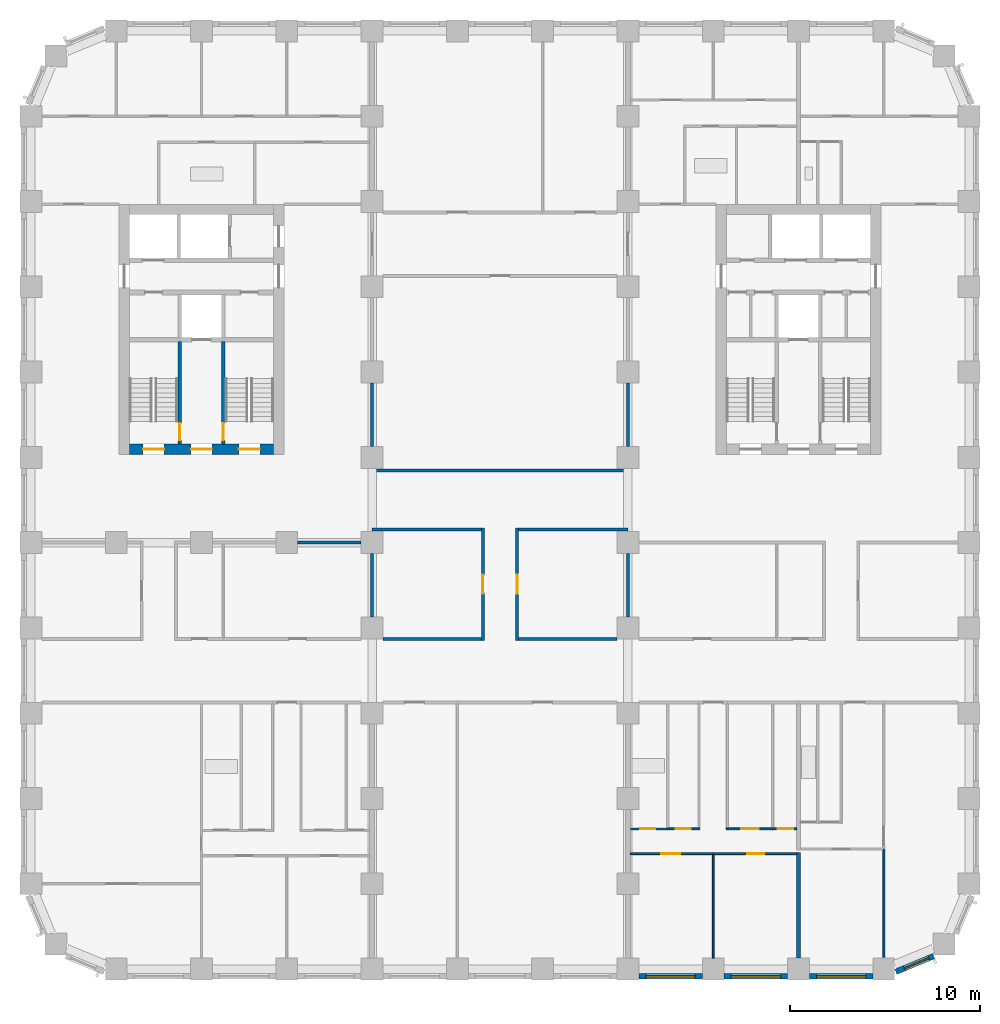
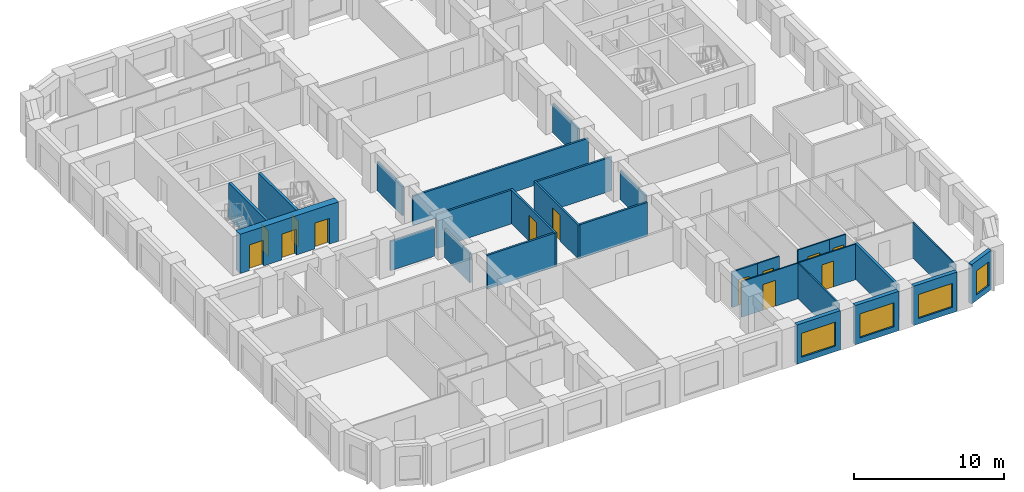
# One storey, part 4 of 12: 28 walls, 13 doors, 4 windows, 17 openings.
"""IFC4 building model written with IfcOpenShell, lengths in metres."""

from ifc_helpers import new_model, si_unit, direction, frame, frame_2d, origin, place, context, subcontext, project, spatial, rectangle, extrude, material, layer, layer_set, type_object, element, fill, save


model = new_model("IFC4")

# Units and contexts
model_context = context("Model", 3, precision=1e-05, world=origin(), true_north=direction((0.0, 1.0)))
body_context = subcontext(model_context, "Body", "Model", "MODEL_VIEW")
ifc_project = project(units=[si_unit("LENGTHUNIT", "METRE"), si_unit("AREAUNIT", "SQUARE_METRE"), si_unit("VOLUMEUNIT", "CUBIC_METRE"), si_unit("PLANEANGLEUNIT", "RADIAN"), si_unit("MASSUNIT", "GRAM", prefix="KILO")], contexts=[model_context])

# Site, building, storey
site_placement = place(None, origin())
site = spatial("IfcSite", under=ifc_project, at=site_placement, CompositionType="ELEMENT")
building_placement = place(site_placement, origin())
building = spatial("IfcBuilding", under=site, at=building_placement, Name="Girih Gate Residences", CompositionType="ELEMENT")
storey_placement = place(building_placement, frame((0.0, 0.0, 115.199951171875)))
storey = spatial("IfcBuildingStorey", under=building, at=storey_placement, Name="L32", CompositionType="ELEMENT", Elevation=115.199951171875)

# Wall, opening, door
ifc_material_1 = material(Name="Gypsum board on steel studs", Category="steel")
ifc_layer_1 = layer(ifc_material_1, 0.14990234375)
ifc_layer_set_1 = layer_set([ifc_layer_1], Name="Compartment wall 150 mm")
wall_type_1 = type_object("IfcWallType", Name="Compartment wall 150 mm", PredefinedType="PARTITIONING", material=ifc_layer_set_1)
wall_1_placement = place(storey_placement, frame((23.85009765625, 17.35009765625, 0.0), z_axis=(0.0, 0.0, 1.0), x_axis=(0.0, 1.0, 0.0)))
wall_1 = element("IfcWall", 1, at=wall_1_placement, inside=storey, type_object=wall_type_1, Name="L32 partition", PredefinedType="PARTITIONING", context=body_context, shape_type="SweptSolid", body=[
    extrude(rectangle(XDim=5.9248046875, YDim=0.14990234375, at=frame_2d((2.96240234375, 0.0))), origin(), (0.0, 0.0, 1.0), 2.75),
])
opening_1_placement = place(wall_1_placement, frame((2.46240234375, 0.0, 0.0)))
opening_1 = element("IfcOpeningElement", 2, at=opening_1_placement, cuts=wall_1, Name="Opening A32-046", PredefinedType="OPENING", context=body_context, shape_type="SweptSolid", body=[
    extrude(rectangle(XDim=1.0, YDim=2.10009765625, at=frame_2d((0.5, 1.050048828125))), frame((0.0, 0.0849609375, 0.0), z_axis=(0.0, -1.0, 0.0), x_axis=(1.0, 0.0, 0.0)), (0.0, 0.0, 1.0), 0.169921875),
])
ifc_material_2 = material(Name="Timber, fire-rated core", Category="wood")
door_type_1 = type_object("IfcDoorType", Name="Amenity room door 1000x2100 FD30S", OperationType="NOTDEFINED", PredefinedType="DOOR", material=ifc_material_2)
door_1_placement = place(opening_1_placement, origin())
door_1 = element("IfcDoor", 3, at=door_1_placement, inside=storey, type_object=door_type_1, Name="Door A32-046", OperationType="SINGLE_SWING_RIGHT", OverallHeight=2.10009765625, OverallWidth=1.0, PredefinedType="DOOR", context=body_context, shape_type="SweptSolid", body=[
    extrude(rectangle(XDim=1.0, YDim=2.10009765625, at=frame_2d((0.5, 1.050048828125))), frame((0.0, 0.02490234375, 0.0), z_axis=(0.0, -1.0, 0.0), x_axis=(1.0, 0.0, 0.0)), (0.0, 0.0, 1.0), 0.050048828125),
])
fill(opening_1, door_1)

wall_2_placement = place(storey_placement, frame((25.64990234375, 23.27490234375, 0.0), z_axis=(0.0, 0.0, 1.0), x_axis=(0.0, -1.0, 0.0)))
wall_2 = element("IfcWall", 4, at=wall_2_placement, inside=storey, type_object=wall_type_1, Name="L32 partition", PredefinedType="PARTITIONING", context=body_context, shape_type="SweptSolid", body=[
    extrude(rectangle(XDim=5.9248046875, YDim=0.14990234375, at=frame_2d((2.96240234375, 0.0))), origin(), (0.0, 0.0, 1.0), 2.75),
])
opening_2_placement = place(wall_2_placement, frame((2.46240234375, 0.0, 0.0)))
opening_2 = element("IfcOpeningElement", 5, at=opening_2_placement, cuts=wall_2, Name="Opening A32-047", PredefinedType="OPENING", context=body_context, shape_type="SweptSolid", body=[
    extrude(rectangle(XDim=1.0, YDim=2.10009765625, at=frame_2d((0.5, 1.050048828125))), frame((0.0, 0.0849609375, 0.0), z_axis=(0.0, -1.0, 0.0), x_axis=(1.0, 0.0, 0.0)), (0.0, 0.0, 1.0), 0.169921875),
])
door_2_placement = place(opening_2_placement, origin())
door_2 = element("IfcDoor", 6, at=door_2_placement, inside=storey, type_object=door_type_1, Name="Door A32-047", OperationType="SINGLE_SWING_RIGHT", OverallHeight=2.10009765625, OverallWidth=1.0, PredefinedType="DOOR", context=body_context, shape_type="SweptSolid", body=[
    extrude(rectangle(XDim=1.0, YDim=2.10009765625, at=frame_2d((0.5, 1.050048828125))), frame((0.0, 0.02490234375, 0.0), z_axis=(0.0, -1.0, 0.0), x_axis=(1.0, 0.0, 0.0)), (0.0, 0.0, 1.0), 0.050048828125),
])
fill(opening_2, door_2)

# Walls
for number, where, z_axis, x_axis, name in (
    (7, (18.574951171875, 17.425048828125, 0.0), (0.0, 0.0, 1.0), (1.0, 0.0, 0.0), "L32 partition"),
    (8, (25.72509765625, 17.425048828125, 0.0), (0.0, 0.0, 1.0), (1.0, 0.0, 0.0), "L32 partition"),
):
    element("IfcWall", number, at=place(storey_placement, frame(where, z_axis=z_axis, x_axis=x_axis)), inside=storey, type_object=wall_type_1, Name=name, PredefinedType="PARTITIONING", context=body_context, shape_type="SweptSolid", body=[
        extrude(rectangle(XDim=5.199951171875, YDim=0.14990234375, at=frame_2d((2.60009765625, 0.0))), origin(), (0.0, 0.0, 1.0), 2.75),
    ])
for number, where, z_axis, x_axis, name in (
    (9, (31.5, 27.574951171875, 0.0), (0.0, 0.0, 1.0), (0.0, 1.0, 0.0), "L32 partition"),
    (10, (18.0, 27.574951171875, 0.0), (0.0, 0.0, 1.0), (0.0, 1.0, 0.0), "L32 partition"),
):
    element("IfcWall", number, at=place(storey_placement, frame(where, z_axis=z_axis, x_axis=x_axis)), inside=storey, type_object=wall_type_1, Name=name, PredefinedType="PARTITIONING", context=body_context, shape_type="SweptSolid", body=[
        extrude(rectangle(XDim=3.35009765625, YDim=0.14990234375, at=frame_2d((1.675048828125, 0.0))), origin(), (0.0, 0.0, 1.0), 2.380126953125),
    ])
wall_3_placement = place(storey_placement, frame((18.0, 26.300048828125, 0.0), z_axis=(0.0, 0.0, 1.0), x_axis=(1.0, 0.0, 0.0)))
element("IfcWall", 11, at=wall_3_placement, inside=storey, type_object=wall_type_1, Name="L32 partition", PredefinedType="PARTITIONING", context=body_context, shape_type="SweptSolid", body=[
    extrude(rectangle(XDim=13.5, YDim=0.14990234375, at=frame_2d((6.75, 0.0))), origin(), (0.0, 0.0, 1.0), 2.380126953125),
])
wall_4_placement = place(storey_placement, frame((18.0, 23.199951171875, 0.0), z_axis=(0.0, 0.0, 1.0), x_axis=(1.0, 0.0, 0.0)))
element("IfcWall", 12, at=wall_4_placement, inside=storey, type_object=wall_type_1, Name="L32 partition", PredefinedType="PARTITIONING", context=body_context, shape_type="SweptSolid", body=[
    extrude(rectangle(XDim=5.77490234375, YDim=0.14990234375, at=frame_2d((2.887451171875, 0.0))), origin(), (0.0, 0.0, 1.0), 2.75),
])
wall_5_placement = place(storey_placement, frame((18.0, 18.574951171875, 0.0), z_axis=(0.0, 0.0, 1.0), x_axis=(0.0, 1.0, 0.0)))
element("IfcWall", 13, at=wall_5_placement, inside=storey, type_object=wall_type_1, Name="L32 partition", PredefinedType="PARTITIONING", context=body_context, shape_type="SweptSolid", body=[
    extrude(rectangle(XDim=3.35009765625, YDim=0.14990234375, at=frame_2d((1.675048828125, 0.0))), origin(), (0.0, 0.0, 1.0), 2.380126953125),
])
wall_6_placement = place(storey_placement, frame((25.72509765625, 23.199951171875, 0.0), z_axis=(0.0, 0.0, 1.0), x_axis=(1.0, 0.0, 0.0)))
element("IfcWall", 14, at=wall_6_placement, inside=storey, type_object=wall_type_1, Name="L32 partition", PredefinedType="PARTITIONING", context=body_context, shape_type="SweptSolid", body=[
    extrude(rectangle(XDim=5.77490234375, YDim=0.14990234375, at=frame_2d((2.887451171875, 0.0))), origin(), (0.0, 0.0, 1.0), 2.75),
])
for number, where, z_axis, x_axis, name in (
    (15, (31.5, 18.574951171875, 0.0), (0.0, 0.0, 1.0), (0.0, 1.0, 0.0), "L32 partition"),
    (16, (14.074951171875, 22.5, 0.0), (0.0, 0.0, 1.0), (1.0, 0.0, 0.0), "L32 partition"),
):
    element("IfcWall", number, at=place(storey_placement, frame(where, z_axis=z_axis, x_axis=x_axis)), inside=storey, type_object=wall_type_1, Name=name, PredefinedType="PARTITIONING", context=body_context, shape_type="SweptSolid", body=[
        extrude(rectangle(XDim=3.35009765625, YDim=0.14990234375, at=frame_2d((1.675048828125, 0.0))), origin(), (0.0, 0.0, 1.0), 2.380126953125),
    ])

# Wall, openings, doors
ifc_material_3 = material(Name="Concrete C60/75", Category="concrete")
ifc_layer_2 = layer(ifc_material_3, 0.550048828125)
ifc_layer_set_2 = layer_set([ifc_layer_2], Name="Core wall RC 550 Concrete C60/75")
wall_type_2 = type_object("IfcWallType", Name="Core wall RC 550 Concrete C60/75", PredefinedType="SOLIDWALL", material=ifc_layer_set_2)
wall_7_placement = place(storey_placement, frame((5.199951171875, 27.425048828125, 0.0), z_axis=(0.0, 0.0, 1.0), x_axis=(1.0, 0.0, 0.0)))
wall_7 = element("IfcWall", 17, at=wall_7_placement, inside=storey, type_object=wall_type_2, Name="Core wall W-S L32", PredefinedType="SOLIDWALL", context=body_context, shape_type="SweptSolid", body=[
    extrude(rectangle(XDim=7.60009765625, YDim=0.550048828125, at=frame_2d((3.800048828125, 0.0))), origin(), (0.0, 0.0, 1.0), 3.199951171875),
])
opening_3_placement = place(wall_7_placement, frame((0.72509765625, 0.0, 0.0)))
opening_3 = element("IfcOpeningElement", 18, at=opening_3_placement, cuts=wall_7, Name="Opening D-L32-W-008", PredefinedType="OPENING", context=body_context, shape_type="SweptSolid", body=[
    extrude(rectangle(XDim=1.10009765625, YDim=2.10009765625, at=frame_2d((0.550048828125, 1.050048828125))), frame((0.0, 0.284912109375, 0.0), z_axis=(0.0, -1.0, 0.0), x_axis=(1.0, 0.0, 0.0)), (0.0, 0.0, 1.0), 0.570068359375),
])
opening_4_placement = place(wall_7_placement, frame((3.25, 0.0, 0.0)))
opening_4 = element("IfcOpeningElement", 19, at=opening_4_placement, cuts=wall_7, Name="Opening D-L32-W-009", PredefinedType="OPENING", context=body_context, shape_type="SweptSolid", body=[
    extrude(rectangle(XDim=1.10009765625, YDim=2.10009765625, at=frame_2d((0.550048828125, 1.050048828125))), frame((0.0, 0.284912109375, 0.0), z_axis=(0.0, -1.0, 0.0), x_axis=(1.0, 0.0, 0.0)), (0.0, 0.0, 1.0), 0.570068359375),
])
opening_5_placement = place(wall_7_placement, frame((5.77490234375, 0.0, 0.0)))
opening_5 = element("IfcOpeningElement", 20, at=opening_5_placement, cuts=wall_7, Name="Opening D-L32-W-010", PredefinedType="OPENING", context=body_context, shape_type="SweptSolid", body=[
    extrude(rectangle(XDim=1.10009765625, YDim=2.10009765625, at=frame_2d((0.550048828125, 1.050048828125))), frame((0.0, 0.284912109375, 0.0), z_axis=(0.0, -1.0, 0.0), x_axis=(1.0, 0.0, 0.0)), (0.0, 0.0, 1.0), 0.570068359375),
])
ifc_material_4 = material(Name="Painted steel, fire-resisting", Category="steel")
door_type_2 = type_object("IfcDoorType", Name="Fire door 1100x2100", OperationType="SINGLE_SWING_LEFT", PredefinedType="DOOR", material=ifc_material_4)
door_3_placement = place(opening_3_placement, origin())
door_3 = element("IfcDoor", 21, at=door_3_placement, inside=storey, type_object=door_type_2, Name="L32 W core door sta-out", OperationType="SINGLE_SWING_LEFT", OverallHeight=2.10009765625, OverallWidth=1.10009765625, PredefinedType="DOOR", context=body_context, shape_type="SweptSolid", body=[
    extrude(rectangle(XDim=1.10009765625, YDim=2.10009765625, at=frame_2d((0.550048828125, 1.050048828125))), frame((0.0, 0.02490234375, 0.0), z_axis=(0.0, -1.0, 0.0), x_axis=(1.0, 0.0, 0.0)), (0.0, 0.0, 1.0), 0.050048828125),
])
fill(opening_3, door_3)
door_4_placement = place(opening_4_placement, origin())
door_4 = element("IfcDoor", 22, at=door_4_placement, inside=storey, type_object=door_type_2, Name="L32 W core door ffl-out", OperationType="SINGLE_SWING_LEFT", OverallHeight=2.10009765625, OverallWidth=1.10009765625, PredefinedType="DOOR", context=body_context, shape_type="SweptSolid", body=[
    extrude(rectangle(XDim=1.10009765625, YDim=2.10009765625, at=frame_2d((0.550048828125, 1.050048828125))), frame((0.0, 0.02490234375, 0.0), z_axis=(0.0, -1.0, 0.0), x_axis=(1.0, 0.0, 0.0)), (0.0, 0.0, 1.0), 0.050048828125),
])
fill(opening_4, door_4)
door_5_placement = place(opening_5_placement, origin())
door_5 = element("IfcDoor", 23, at=door_5_placement, inside=storey, type_object=door_type_2, Name="L32 W core door stb-out", OperationType="SINGLE_SWING_LEFT", OverallHeight=2.10009765625, OverallWidth=1.10009765625, PredefinedType="DOOR", context=body_context, shape_type="SweptSolid", body=[
    extrude(rectangle(XDim=1.10009765625, YDim=2.10009765625, at=frame_2d((0.550048828125, 1.050048828125))), frame((0.0, 0.02490234375, 0.0), z_axis=(0.0, -1.0, 0.0), x_axis=(1.0, 0.0, 0.0)), (0.0, 0.0, 1.0), 0.050048828125),
])
fill(opening_5, door_5)

# Wall
ifc_layer_3 = layer(ifc_material_1, 0.10009765625)
ifc_layer_set_3 = layer_set([ifc_layer_3], Name="Partition 100 mm")
wall_type_3 = type_object("IfcWallType", Name="Partition 100 mm", PredefinedType="PARTITIONING", material=ifc_layer_set_3)
wall_8_placement = place(storey_placement, frame((45.0, 0.622314453125, 0.0), z_axis=(0.0, 0.0, 1.0), x_axis=(0.0, 1.0, 0.0)))
element("IfcWall", 24, at=wall_8_placement, inside=storey, type_object=wall_type_3, Name="L32 partition", PredefinedType="PARTITIONING", context=body_context, shape_type="SweptSolid", body=[
    extrude(rectangle(XDim=5.712646484375, YDim=0.10009765625, at=frame_2d((2.8564453125, 0.0))), origin(), (0.0, 0.0, 1.0), 2.900146484375),
])

# Wall, opening, door
wall_9_placement = place(storey_placement, frame((40.39990234375, 6.094970703125, 0.0), z_axis=(0.0, 0.0, 1.0), x_axis=(-1.0, 0.0, 0.0)))
wall_9 = element("IfcWall", 25, at=wall_9_placement, inside=storey, type_object=wall_type_3, Name="L32 partition", PredefinedType="PARTITIONING", context=body_context, shape_type="SweptSolid", body=[
    extrude(rectangle(XDim=4.39990234375, YDim=0.10009765625, at=frame_2d((2.199951171875, 0.0))), origin(), (0.0, 0.0, 1.0), 2.900146484375),
])
opening_6_placement = place(wall_9_placement, frame((1.699951171875, 0.0, 0.0)))
opening_6 = element("IfcOpeningElement", 26, at=opening_6_placement, cuts=wall_9, Name="Opening A32-023", PredefinedType="OPENING", context=body_context, shape_type="SweptSolid", body=[
    extrude(rectangle(XDim=0.89990234375, YDim=2.10009765625, at=frame_2d((0.449951171875, 1.050048828125))), frame((0.0, 0.06005859375, 0.0), z_axis=(0.0, -1.0, 0.0), x_axis=(1.0, 0.0, 0.0)), (0.0, 0.0, 1.0), 0.1201171875),
])
ifc_material_5 = material(Name="Timber", Category="wood")
door_type_3 = type_object("IfcDoorType", Name="Bedroom door 900x2100", OperationType="NOTDEFINED", PredefinedType="DOOR", material=ifc_material_5)
door_6_placement = place(opening_6_placement, origin())
door_6 = element("IfcDoor", 27, at=door_6_placement, inside=storey, type_object=door_type_3, Name="Door A32-023", OperationType="SINGLE_SWING_LEFT", OverallHeight=2.10009765625, OverallWidth=0.89990234375, PredefinedType="DOOR", context=body_context, shape_type="SweptSolid", body=[
    extrude(rectangle(XDim=0.89990234375, YDim=2.10009765625, at=frame_2d((0.449951171875, 1.050048828125))), frame((0.0, 0.02490234375, 0.0), z_axis=(0.0, -1.0, 0.0), x_axis=(1.0, 0.0, 0.0)), (0.0, 0.0, 1.0), 0.050048828125),
])
fill(opening_6, door_6)

# Wall
wall_10_placement = place(storey_placement, frame((36.0, 0.574951171875, 0.0), z_axis=(0.0, 0.0, 1.0), x_axis=(0.0, 1.0, 0.0)))
element("IfcWall", 28, at=wall_10_placement, inside=storey, type_object=wall_type_3, Name="L32 partition", PredefinedType="PARTITIONING", context=body_context, shape_type="SweptSolid", body=[
    extrude(rectangle(XDim=5.469970703125, YDim=0.10009765625, at=frame_2d((2.73486328125, 0.0))), origin(), (0.0, 0.0, 1.0), 2.900146484375),
])

# Wall, opening, door
wall_11_placement = place(storey_placement, frame((36.699951171875, 7.39501953125, 0.0), z_axis=(0.0, 0.0, 1.0), x_axis=(1.0, 0.0, 0.0)))
wall_11 = element("IfcWall", 29, at=wall_11_placement, inside=storey, type_object=wall_type_3, Name="L32 partition", PredefinedType="PARTITIONING", context=body_context, shape_type="SweptSolid", body=[
    extrude(rectangle(XDim=2.432861328125, YDim=0.10009765625, at=frame_2d((1.21630859375, 0.0))), origin(), (0.0, 0.0, 1.0), 2.900146484375),
])
opening_7_placement = place(wall_11_placement, frame((0.79150390625, 0.0, 0.0)))
opening_7 = element("IfcOpeningElement", 30, at=opening_7_placement, cuts=wall_11, Name="Opening A32-024", PredefinedType="OPENING", context=body_context, shape_type="SweptSolid", body=[
    extrude(rectangle(XDim=0.89990234375, YDim=2.10009765625, at=frame_2d((0.449951171875, 1.050048828125))), frame((0.0, 0.06005859375, 0.0), z_axis=(0.0, -1.0, 0.0), x_axis=(1.0, 0.0, 0.0)), (0.0, 0.0, 1.0), 0.1201171875),
])
door_type_4 = type_object("IfcDoorType", Name="Kitchen door 900x2100", OperationType="NOTDEFINED", PredefinedType="DOOR", material=ifc_material_5)
door_7_placement = place(opening_7_placement, origin())
door_7 = element("IfcDoor", 31, at=door_7_placement, inside=storey, type_object=door_type_4, Name="Door A32-024", OperationType="SINGLE_SWING_RIGHT", OverallHeight=2.10009765625, OverallWidth=0.89990234375, PredefinedType="DOOR", context=body_context, shape_type="SweptSolid", body=[
    extrude(rectangle(XDim=0.89990234375, YDim=2.10009765625, at=frame_2d((0.449951171875, 1.050048828125))), frame((0.0, 0.02490234375, 0.0), z_axis=(0.0, -1.0, 0.0), x_axis=(1.0, 0.0, 0.0)), (0.0, 0.0, 1.0), 0.050048828125),
])
fill(opening_7, door_7)

wall_12_placement = place(storey_placement, frame((36.0, 6.094970703125, 0.0), z_axis=(0.0, 0.0, 1.0), x_axis=(-1.0, 0.0, 0.0)))
wall_12 = element("IfcWall", 32, at=wall_12_placement, inside=storey, type_object=wall_type_3, Name="L32 partition", PredefinedType="PARTITIONING", context=body_context, shape_type="SweptSolid", body=[
    extrude(rectangle(XDim=4.375, YDim=0.10009765625, at=frame_2d((2.1875, 0.0))), origin(), (0.0, 0.0, 1.0), 2.900146484375),
])
opening_8_placement = place(wall_12_placement, frame((1.75, 0.0, 0.0)))
opening_8 = element("IfcOpeningElement", 33, at=opening_8_placement, cuts=wall_12, Name="Opening A32-025", PredefinedType="OPENING", context=body_context, shape_type="SweptSolid", body=[
    extrude(rectangle(XDim=1.0, YDim=2.10009765625, at=frame_2d((0.5, 1.050048828125))), frame((0.0, 0.06005859375, 0.0), z_axis=(0.0, -1.0, 0.0), x_axis=(1.0, 0.0, 0.0)), (0.0, 0.0, 1.0), 0.1201171875),
])
door_type_5 = type_object("IfcDoorType", Name="Living room door 1000x2100", OperationType="NOTDEFINED", PredefinedType="DOOR", material=ifc_material_5)
door_8_placement = place(opening_8_placement, origin())
door_8 = element("IfcDoor", 34, at=door_8_placement, inside=storey, type_object=door_type_5, Name="Door A32-025", OperationType="SINGLE_SWING_RIGHT", OverallHeight=2.10009765625, OverallWidth=1.0, PredefinedType="DOOR", context=body_context, shape_type="SweptSolid", body=[
    extrude(rectangle(XDim=1.0, YDim=2.10009765625, at=frame_2d((0.5, 1.050048828125))), frame((0.0, 0.02490234375, 0.0), z_axis=(0.0, -1.0, 0.0), x_axis=(1.0, 0.0, 0.0)), (0.0, 0.0, 1.0), 0.050048828125),
])
fill(opening_8, door_8)

wall_13_placement = place(storey_placement, frame((39.1328125, 7.39501953125, 0.0), z_axis=(0.0, 0.0, 1.0), x_axis=(1.0, 0.0, 0.0)))
wall_13 = element("IfcWall", 35, at=wall_13_placement, inside=storey, type_object=wall_type_3, Name="L32 partition", PredefinedType="PARTITIONING", context=body_context, shape_type="SweptSolid", body=[
    extrude(rectangle(XDim=1.26708984375, YDim=0.10009765625, at=frame_2d((0.633544921875, 0.0))), origin(), (0.0, 0.0, 1.0), 2.900146484375),
])
opening_9_placement = place(wall_13_placement, frame((0.28369140625, 0.0, 0.0)))
opening_9 = element("IfcOpeningElement", 36, at=opening_9_placement, cuts=wall_13, Name="Opening A32-026", PredefinedType="OPENING", context=body_context, shape_type="SweptSolid", body=[
    extrude(rectangle(XDim=0.800048828125, YDim=2.10009765625, at=frame_2d((0.39990234375, 1.050048828125))), frame((0.0, 0.06005859375, 0.0), z_axis=(0.0, -1.0, 0.0), x_axis=(1.0, 0.0, 0.0)), (0.0, 0.0, 1.0), 0.1201171875),
])
door_type_6 = type_object("IfcDoorType", Name="Store door 800x2100", OperationType="NOTDEFINED", PredefinedType="DOOR", material=ifc_material_5)
door_9_placement = place(opening_9_placement, origin())
door_9 = element("IfcDoor", 37, at=door_9_placement, inside=storey, type_object=door_type_6, Name="Door A32-026", OperationType="SINGLE_SWING_RIGHT", OverallHeight=2.10009765625, OverallWidth=0.800048828125, PredefinedType="DOOR", context=body_context, shape_type="SweptSolid", body=[
    extrude(rectangle(XDim=0.800048828125, YDim=2.10009765625, at=frame_2d((0.39990234375, 1.050048828125))), frame((0.0, 0.02490234375, 0.0), z_axis=(0.0, -1.0, 0.0), x_axis=(1.0, 0.0, 0.0)), (0.0, 0.0, 1.0), 0.050048828125),
])
fill(opening_9, door_9)

wall_14_placement = place(storey_placement, frame((33.591064453125, 7.39501953125, 0.0), z_axis=(0.0, 0.0, 1.0), x_axis=(1.0, 0.0, 0.0)))
wall_14 = element("IfcWall", 38, at=wall_14_placement, inside=storey, type_object=wall_type_3, Name="L32 partition", PredefinedType="PARTITIONING", context=body_context, shape_type="SweptSolid", body=[
    extrude(rectangle(XDim=1.708984375, YDim=0.10009765625, at=frame_2d((0.8544921875, 0.0))), origin(), (0.0, 0.0, 1.0), 2.900146484375),
])
opening_10_placement = place(wall_14_placement, frame((0.429443359375, 0.0, 0.0)))
opening_10 = element("IfcOpeningElement", 39, at=opening_10_placement, cuts=wall_14, Name="Opening A32-027", PredefinedType="OPENING", context=body_context, shape_type="SweptSolid", body=[
    extrude(rectangle(XDim=0.800048828125, YDim=2.10009765625, at=frame_2d((0.39990234375, 1.050048828125))), frame((0.0, 0.06005859375, 0.0), z_axis=(0.0, -1.0, 0.0), x_axis=(1.0, 0.0, 0.0)), (0.0, 0.0, 1.0), 0.1201171875),
])
door_10_placement = place(opening_10_placement, origin())
door_10 = element("IfcDoor", 40, at=door_10_placement, inside=storey, type_object=door_type_6, Name="Door A32-027", OperationType="SINGLE_SWING_LEFT", OverallHeight=2.10009765625, OverallWidth=0.800048828125, PredefinedType="DOOR", context=body_context, shape_type="SweptSolid", body=[
    extrude(rectangle(XDim=0.800048828125, YDim=2.10009765625, at=frame_2d((0.39990234375, 1.050048828125))), frame((0.0, 0.02490234375, 0.0), z_axis=(0.0, -1.0, 0.0), x_axis=(1.0, 0.0, 0.0)), (0.0, 0.0, 1.0), 0.050048828125),
])
fill(opening_10, door_10)

# Wall
ifc_layer_4 = layer(ifc_material_1, 0.199951171875)
ifc_layer_set_4 = layer_set([ifc_layer_4], Name="Party wall 200 mm")
wall_type_4 = type_object("IfcWallType", Name="Party wall 200 mm", PredefinedType="PARTITIONING", material=ifc_layer_set_4)
wall_15_placement = place(storey_placement, frame((40.5, 0.574951171875, 0.0), z_axis=(0.0, 0.0, 1.0), x_axis=(0.0, 1.0, 0.0)))
element("IfcWall", 41, at=wall_15_placement, inside=storey, type_object=wall_type_4, Name="L32 partition", PredefinedType="PARTITIONING", context=body_context, shape_type="SweptSolid", body=[
    extrude(rectangle(XDim=5.570068359375, YDim=0.199951171875, at=frame_2d((2.78515625, 0.0))), origin(), (0.0, 0.0, 1.0), 2.900146484375),
])

# Wall, opening, window
ifc_material_6 = material(Name="Precast concrete C50/60", Category="concrete")
ifc_layer_5 = layer(ifc_material_6, 0.080078125, Name="Outer leaf")
ifc_material_7 = material(Name="Rigid PIR insulation")
ifc_layer_6 = layer(ifc_material_7, 0.14990234375, Name="Insulation")
ifc_material_8 = material(Name="Precast concrete C40/50", Category="concrete")
ifc_layer_7 = layer(ifc_material_8, 0.070068359375, Name="Inner leaf")
ifc_layer_set_5 = layer_set([ifc_layer_5, ifc_layer_6, ifc_layer_7], Name="Precast concrete C50/60 external wall 300")
wall_type_5 = type_object("IfcWallType", Name="Precast concrete C50/60 external wall 300", PredefinedType="SOLIDWALL", material=ifc_layer_set_5)
wall_16_placement = place(storey_placement, frame((35.425048828125, -0.375, 0.0), z_axis=(0.0, 0.0, 1.0), x_axis=(-1.0, 0.0, 0.0)))
wall_16 = element("IfcWall", 42, at=wall_16_placement, inside=storey, type_object=wall_type_5, Name="External wall S0045_0000.6", PredefinedType="SOLIDWALL", context=body_context, shape_type="SweptSolid", body=[
    extrude(rectangle(XDim=3.35009765625, YDim=0.300048828125, at=frame_2d((1.675048828125, 0.0))), origin(), (0.0, 0.0, 1.0), 3.199951171875),
])
opening_11_placement = place(wall_16_placement, frame((0.375, 0.0, 0.449951171875)))
opening_11 = element("IfcOpeningElement", 43, at=opening_11_placement, cuts=wall_16, Name="Opening W-1A", PredefinedType="OPENING", context=body_context, shape_type="SweptSolid", body=[
    extrude(rectangle(XDim=2.60009765625, YDim=1.949951171875, at=frame_2d((1.300048828125, 0.97509765625))), frame((0.0, 0.159912109375, 0.0), z_axis=(0.0, -1.0, 0.0), x_axis=(1.0, 0.0, 0.0)), (0.0, 0.0, 1.0), 0.320068359375),
])
ifc_material_9 = material(Name="Double glazing in aluminium frame", Category="aluminium")
window_type_1 = type_object("IfcWindowType", Name="Window W-1A 2600x1950", PartitioningType="SINGLE_PANEL", PredefinedType="WINDOW", material=ifc_material_9)
window_1_placement = place(opening_11_placement, origin())
window_1 = element("IfcWindow", 44, at=window_1_placement, inside=storey, type_object=window_type_1, Name="Window W-1A S0045_0000.6", OverallHeight=1.949951171875, OverallWidth=2.60009765625, PartitioningType="SINGLE_PANEL", PredefinedType="WINDOW", context=body_context, shape_type="SweptSolid", body=[
    extrude(rectangle(XDim=2.60009765625, YDim=1.949951171875, at=frame_2d((1.300048828125, 0.97509765625))), frame((0.0, 0.030029296875, 0.0), z_axis=(0.0, -1.0, 0.0), x_axis=(1.0, 0.0, 0.0)), (0.0, 0.0, 1.0), 0.06005859375),
])
fill(opening_11, window_1)

wall_17_placement = place(storey_placement, frame((39.925048828125, -0.375, 0.0), z_axis=(0.0, 0.0, 1.0), x_axis=(-1.0, 0.0, 0.0)))
wall_17 = element("IfcWall", 45, at=wall_17_placement, inside=storey, type_object=wall_type_5, Name="External wall S0045_0000.7", PredefinedType="SOLIDWALL", context=body_context, shape_type="SweptSolid", body=[
    extrude(rectangle(XDim=3.35009765625, YDim=0.300048828125, at=frame_2d((1.675048828125, 0.0))), origin(), (0.0, 0.0, 1.0), 3.199951171875),
])
opening_12_placement = place(wall_17_placement, frame((0.375, 0.0, 0.449951171875)))
opening_12 = element("IfcOpeningElement", 46, at=opening_12_placement, cuts=wall_17, Name="Opening W-1A", PredefinedType="OPENING", context=body_context, shape_type="SweptSolid", body=[
    extrude(rectangle(XDim=2.60009765625, YDim=1.949951171875, at=frame_2d((1.300048828125, 0.97509765625))), frame((0.0, 0.159912109375, 0.0), z_axis=(0.0, -1.0, 0.0), x_axis=(1.0, 0.0, 0.0)), (0.0, 0.0, 1.0), 0.320068359375),
])
window_2_placement = place(opening_12_placement, origin())
window_2 = element("IfcWindow", 47, at=window_2_placement, inside=storey, type_object=window_type_1, Name="Window W-1A S0045_0000.7", OverallHeight=1.949951171875, OverallWidth=2.60009765625, PartitioningType="SINGLE_PANEL", PredefinedType="WINDOW", context=body_context, shape_type="SweptSolid", body=[
    extrude(rectangle(XDim=2.60009765625, YDim=1.949951171875, at=frame_2d((1.300048828125, 0.97509765625))), frame((0.0, 0.030029296875, 0.0), z_axis=(0.0, -1.0, 0.0), x_axis=(1.0, 0.0, 0.0)), (0.0, 0.0, 1.0), 0.06005859375),
])
fill(opening_12, window_2)

wall_18_placement = place(storey_placement, frame((44.425048828125, -0.375, 0.0), z_axis=(0.0, 0.0, 1.0), x_axis=(-1.0, 0.0, 0.0)))
wall_18 = element("IfcWall", 48, at=wall_18_placement, inside=storey, type_object=wall_type_5, Name="External wall S0045_0000.8", PredefinedType="SOLIDWALL", context=body_context, shape_type="SweptSolid", body=[
    extrude(rectangle(XDim=3.35009765625, YDim=0.300048828125, at=frame_2d((1.675048828125, 0.0))), origin(), (0.0, 0.0, 1.0), 3.199951171875),
])
opening_13_placement = place(wall_18_placement, frame((0.375, 0.0, 0.449951171875)))
opening_13 = element("IfcOpeningElement", 49, at=opening_13_placement, cuts=wall_18, Name="Opening W-1A", PredefinedType="OPENING", context=body_context, shape_type="SweptSolid", body=[
    extrude(rectangle(XDim=2.60009765625, YDim=1.949951171875, at=frame_2d((1.300048828125, 0.97509765625))), frame((0.0, 0.159912109375, 0.0), z_axis=(0.0, -1.0, 0.0), x_axis=(1.0, 0.0, 0.0)), (0.0, 0.0, 1.0), 0.320068359375),
])
window_3_placement = place(opening_13_placement, origin())
window_3 = element("IfcWindow", 50, at=window_3_placement, inside=storey, type_object=window_type_1, Name="Window W-1A S0045_0000.8", OverallHeight=1.949951171875, OverallWidth=2.60009765625, PartitioningType="SINGLE_PANEL", PredefinedType="WINDOW", context=body_context, shape_type="SweptSolid", body=[
    extrude(rectangle(XDim=2.60009765625, YDim=1.949951171875, at=frame_2d((1.300048828125, 0.97509765625))), frame((0.0, 0.030029296875, 0.0), z_axis=(0.0, -1.0, 0.0), x_axis=(1.0, 0.0, 0.0)), (0.0, 0.0, 1.0), 0.06005859375),
])
fill(opening_13, window_3)

wall_19_placement = place(storey_placement, frame((47.63134765625, 0.68408203125, 0.0), z_axis=(0.0, 0.0, 1.0), x_axis=(-0.923862802911, -0.382723818695, 0.0)))
wall_19 = element("IfcWall", 51, at=wall_19_placement, inside=storey, type_object=wall_type_5, Name="External wall SE0450_0000.0", PredefinedType="SOLIDWALL", context=body_context, shape_type="SweptSolid", body=[
    extrude(rectangle(XDim=2.163818359375, YDim=0.300048828125, at=frame_2d((1.08203125, 0.0))), origin(), (0.0, 0.0, 1.0), 3.199951171875),
])
opening_14_placement = place(wall_19_placement, frame((0.270751953125, 0.0, 0.449951171875)))
opening_14 = element("IfcOpeningElement", 52, at=opening_14_placement, cuts=wall_19, Name="Opening W-2D", PredefinedType="OPENING", context=body_context, shape_type="SweptSolid", body=[
    extrude(rectangle(XDim=1.39990234375, YDim=1.949951171875, at=frame_2d((0.699951171875, 0.97509765625))), frame((0.0, 0.159912109375, 0.0), z_axis=(0.0, -1.0, 0.0), x_axis=(1.0, 0.0, 0.0)), (0.0, 0.0, 1.0), 0.320068359375),
])
window_type_2 = type_object("IfcWindowType", Name="Window W-2D 1400x1950", PartitioningType="SINGLE_PANEL", PredefinedType="WINDOW", material=ifc_material_9)
window_4_placement = place(opening_14_placement, origin())
window_4 = element("IfcWindow", 53, at=window_4_placement, inside=storey, type_object=window_type_2, Name="Window W-2D SE0450_0000.0", OverallHeight=1.949951171875, OverallWidth=1.39990234375, PartitioningType="SINGLE_PANEL", PredefinedType="WINDOW", context=body_context, shape_type="SweptSolid", body=[
    extrude(rectangle(XDim=1.39990234375, YDim=1.949951171875, at=frame_2d((0.699951171875, 0.97509765625))), frame((0.0, 0.030029296875, 0.0), z_axis=(0.0, -1.0, 0.0), x_axis=(1.0, 0.0, 0.0)), (0.0, 0.0, 1.0), 0.06005859375),
])
fill(opening_14, window_4)

# Wall, opening, door
ifc_material_10 = material(Name="Concrete C40/50", Category="concrete")
ifc_layer_8 = layer(ifc_material_10, 0.199951171875)
ifc_layer_set_6 = layer_set([ifc_layer_8], Name="Shaft wall 200")
wall_type_6 = type_object("IfcWallType", Name="Shaft wall 200", PredefinedType="SOLIDWALL", material=ifc_layer_set_6)
wall_20_placement = place(storey_placement, frame((7.85009765625, 27.699951171875, 0.0), z_axis=(0.0, 0.0, 1.0), x_axis=(0.0, 1.0, 0.0)))
wall_20 = element("IfcWall", 54, at=wall_20_placement, inside=storey, type_object=wall_type_6, Name="L32 W core wall V1a", PredefinedType="SOLIDWALL", context=body_context, shape_type="SweptSolid", body=[
    extrude(rectangle(XDim=5.400146484375, YDim=0.199951171875, at=frame_2d((2.7001953125, 0.0))), origin(), (0.0, 0.0, 1.0), 2.900146484375),
])
opening_15_placement = place(wall_20_placement, frame((0.199951171875, 0.0, 0.0)))
opening_15 = element("IfcOpeningElement", 55, at=opening_15_placement, cuts=wall_20, Name="Opening D-L32-W-001", PredefinedType="OPENING", context=body_context, shape_type="SweptSolid", body=[
    extrude(rectangle(XDim=0.89990234375, YDim=2.10009765625, at=frame_2d((0.449951171875, 1.050048828125))), frame((0.0, 0.10986328125, 0.0), z_axis=(0.0, -1.0, 0.0), x_axis=(1.0, 0.0, 0.0)), (0.0, 0.0, 1.0), 0.219970703125),
])
door_type_7 = type_object("IfcDoorType", Name="Fire door 900x2100", OperationType="SINGLE_SWING_LEFT", PredefinedType="DOOR", material=ifc_material_4)
door_11_placement = place(opening_15_placement, origin())
door_11 = element("IfcDoor", 56, at=door_11_placement, inside=storey, type_object=door_type_7, Name="L32 W door stair 1 to firefighting lobby", OperationType="SINGLE_SWING_LEFT", OverallHeight=2.10009765625, OverallWidth=0.89990234375, PredefinedType="DOOR", context=body_context, shape_type="SweptSolid", body=[
    extrude(rectangle(XDim=0.89990234375, YDim=2.10009765625, at=frame_2d((0.449951171875, 1.050048828125))), frame((0.0, 0.02490234375, 0.0), z_axis=(0.0, -1.0, 0.0), x_axis=(1.0, 0.0, 0.0)), (0.0, 0.0, 1.0), 0.050048828125),
])
fill(opening_15, door_11)

wall_21_placement = place(storey_placement, frame((10.14990234375, 27.699951171875, 0.0), z_axis=(0.0, 0.0, 1.0), x_axis=(0.0, 1.0, 0.0)))
wall_21 = element("IfcWall", 57, at=wall_21_placement, inside=storey, type_object=wall_type_6, Name="L32 W core wall V2a", PredefinedType="SOLIDWALL", context=body_context, shape_type="SweptSolid", body=[
    extrude(rectangle(XDim=5.400146484375, YDim=0.199951171875, at=frame_2d((2.7001953125, 0.0))), origin(), (0.0, 0.0, 1.0), 2.900146484375),
])
opening_16_placement = place(wall_21_placement, frame((0.199951171875, 0.0, 0.0)))
opening_16 = element("IfcOpeningElement", 58, at=opening_16_placement, cuts=wall_21, Name="Opening D-L32-W-002", PredefinedType="OPENING", context=body_context, shape_type="SweptSolid", body=[
    extrude(rectangle(XDim=0.89990234375, YDim=2.10009765625, at=frame_2d((0.449951171875, 1.050048828125))), frame((0.0, 0.10986328125, 0.0), z_axis=(0.0, -1.0, 0.0), x_axis=(1.0, 0.0, 0.0)), (0.0, 0.0, 1.0), 0.219970703125),
])
door_12_placement = place(opening_16_placement, origin())
door_12 = element("IfcDoor", 59, at=door_12_placement, inside=storey, type_object=door_type_7, Name="L32 W door stair 2 to firefighting lobby", OperationType="SINGLE_SWING_LEFT", OverallHeight=2.10009765625, OverallWidth=0.89990234375, PredefinedType="DOOR", context=body_context, shape_type="SweptSolid", body=[
    extrude(rectangle(XDim=0.89990234375, YDim=2.10009765625, at=frame_2d((0.449951171875, 1.050048828125))), frame((0.0, 0.02490234375, 0.0), z_axis=(0.0, -1.0, 0.0), x_axis=(1.0, 0.0, 0.0)), (0.0, 0.0, 1.0), 0.050048828125),
])
fill(opening_16, door_12)

ifc_layer_9 = layer(ifc_material_1, 0.125)
ifc_layer_set_7 = layer_set([ifc_layer_9], Name="Wet room wall 125 mm")
wall_type_7 = type_object("IfcWallType", Name="Wet room wall 125 mm", PredefinedType="PARTITIONING", material=ifc_layer_set_7)
wall_22_placement = place(storey_placement, frame((31.625, 7.39501953125, 0.0), z_axis=(0.0, 0.0, 1.0), x_axis=(1.0, 0.0, 0.0)))
wall_22 = element("IfcWall", 60, at=wall_22_placement, inside=storey, type_object=wall_type_7, Name="L32 partition", PredefinedType="PARTITIONING", context=body_context, shape_type="SweptSolid", body=[
    extrude(rectangle(XDim=1.966064453125, YDim=0.125, at=frame_2d((0.98291015625, 0.0))), origin(), (0.0, 0.0, 1.0), 2.900146484375),
])
opening_17_placement = place(wall_22_placement, frame((0.5205078125, 0.0, 0.0)))
opening_17 = element("IfcOpeningElement", 61, at=opening_17_placement, cuts=wall_22, Name="Opening A32-022", PredefinedType="OPENING", context=body_context, shape_type="SweptSolid", body=[
    extrude(rectangle(XDim=0.800048828125, YDim=2.10009765625, at=frame_2d((0.39990234375, 1.050048828125))), frame((0.0, 0.072509765625, 0.0), z_axis=(0.0, -1.0, 0.0), x_axis=(1.0, 0.0, 0.0)), (0.0, 0.0, 1.0), 0.14501953125),
])
door_type_8 = type_object("IfcDoorType", Name="Bathroom door 800x2100", OperationType="NOTDEFINED", PredefinedType="DOOR", material=ifc_material_5)
door_13_placement = place(opening_17_placement, origin())
door_13 = element("IfcDoor", 62, at=door_13_placement, inside=storey, type_object=door_type_8, Name="Door A32-022", OperationType="SINGLE_SWING_LEFT", OverallHeight=2.10009765625, OverallWidth=0.800048828125, PredefinedType="DOOR", context=body_context, shape_type="SweptSolid", body=[
    extrude(rectangle(XDim=0.800048828125, YDim=2.10009765625, at=frame_2d((0.39990234375, 1.050048828125))), frame((0.0, 0.02490234375, 0.0), z_axis=(0.0, -1.0, 0.0), x_axis=(1.0, 0.0, 0.0)), (0.0, 0.0, 1.0), 0.050048828125),
])
fill(opening_17, door_13)

save(model, "model.ifc")
